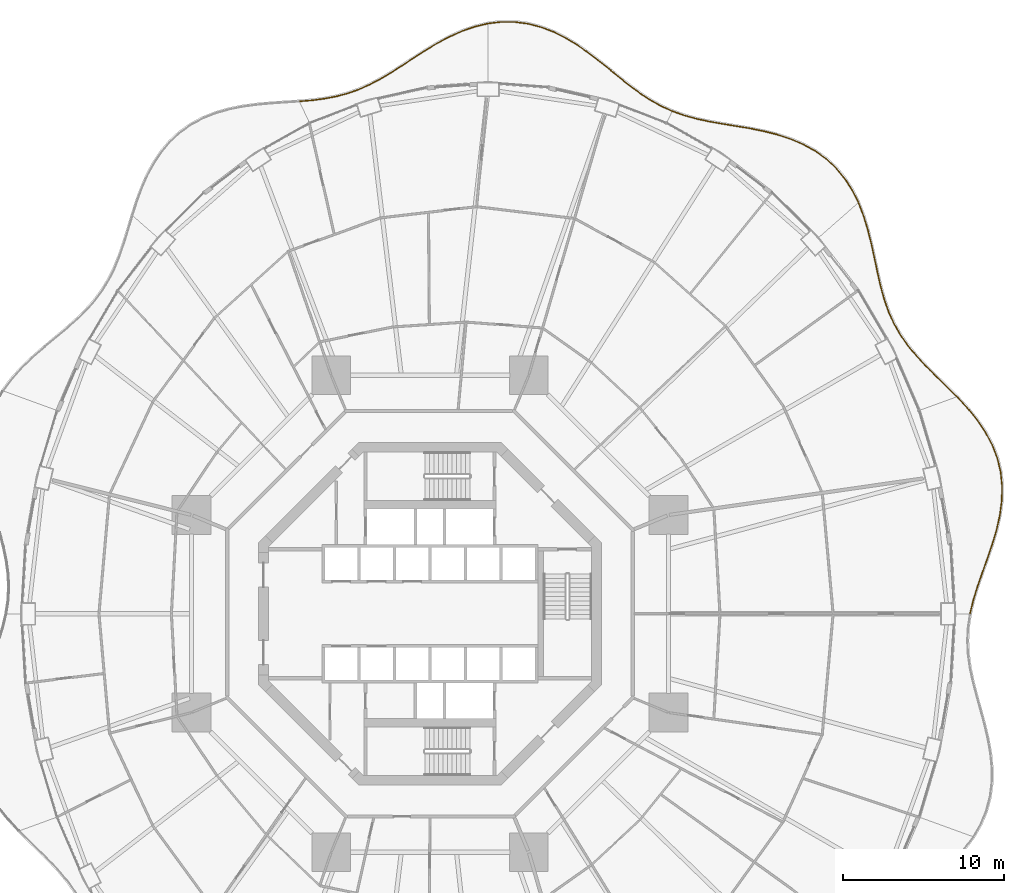
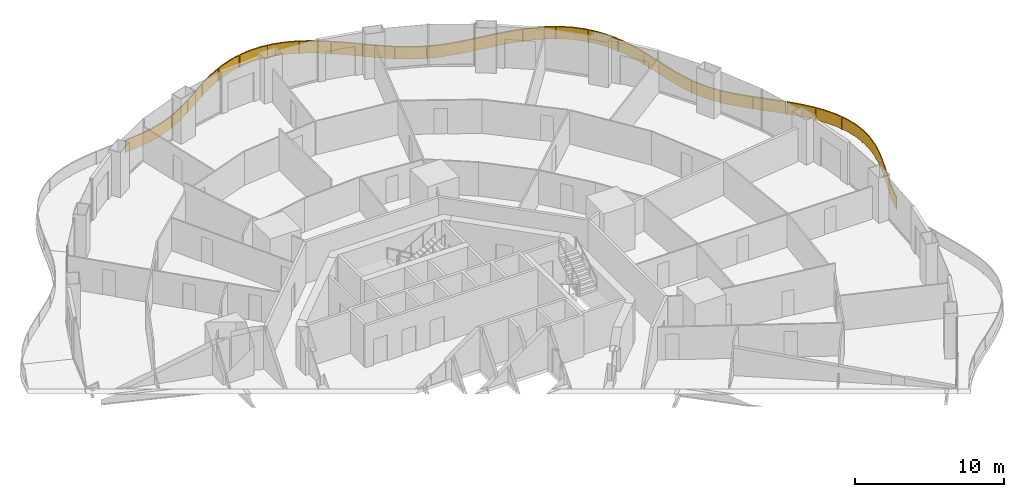
# One storey, part 22 of 22: 5 railings.
"""IFC4 building model written with IfcOpenShell, lengths in metres."""

from ifc_helpers import new_model, si_unit, direction, frame, origin, origin_2d, place, context, subcontext, project, spatial, polyline, rectangle, outline, extrude, material, type_object, element, save


model = new_model("IFC4")

# Units and contexts
model_context = context("Model", 3, precision=1e-05, world=origin(), true_north=direction((0.0, 1.0)))
body_context = subcontext(model_context, "Body", "Model", "MODEL_VIEW")
ifc_project = project(units=[si_unit("LENGTHUNIT", "METRE"), si_unit("AREAUNIT", "SQUARE_METRE"), si_unit("VOLUMEUNIT", "CUBIC_METRE"), si_unit("PLANEANGLEUNIT", "RADIAN"), si_unit("MASSUNIT", "GRAM", prefix="KILO")], contexts=[model_context])

# Site, building, storey
site_placement = place(None, origin())
site = spatial("IfcSite", under=ifc_project, at=site_placement, CompositionType="ELEMENT")
building_placement = place(site_placement, origin())
building = spatial("IfcBuilding", under=site, at=building_placement, Name="Nagisa Residences", CompositionType="ELEMENT")
storey_placement = place(building_placement, frame((0.0, 0.0, 45.5)))
storey = spatial("IfcBuildingStorey", under=building, at=storey_placement, Name="L10", CompositionType="ELEMENT", Elevation=45.5)

# Railings
ifc_material = material(Name="Stainless steel 316", Category="steel")
railing_type = type_object("IfcRailingType", Name="BALCONY GUARD 1100", PredefinedType="BALUSTRADE", material=ifc_material)
railing_1_placement = place(storey_placement, frame((33.47998046875, 0.0341796875, 0.0)))
element("IfcRailing", 1, at=railing_1_placement, inside=storey, type_object=railing_type, Name="guard:L10:bal00-0", PredefinedType="BALUSTRADE", context=body_context, shape_type="SweptSolid", body=[
    extrude(outline(polyline([(0.165771484375, 0.79638671875), (-0.0244140625, 0.005859375), (0.0244140625, -0.005859375), (0.214111328125, 0.783203125), (0.471923828125, 1.625), (0.769775390625, 2.482421875), (1.083251953125, 3.357177734375), (1.386962890625, 4.248291015625), (1.65576171875, 5.138916015625), (1.86181640625, 6.05126953125), (1.984130859375, 6.96484375), (2.006103515625, 7.871826171875), (1.9150390625, 8.763427734375), (1.710205078125, 9.617919921875), (1.386474609375, 10.455810546875), (0.956298828125, 11.25830078125), (0.434326171875, 12.02294921875), (-0.159423828125, 12.75048828125), (-0.77294921875, 13.409912109375), (-0.8095703125, 13.375732421875), (-0.197021484375, 12.7177734375), (0.394287109375, 11.9931640625), (0.913330078125, 11.232421875), (1.341064453125, 10.434814453125), (1.662353515625, 9.602783203125), (1.86572265625, 8.755126953125), (1.955810546875, 7.869873046875), (1.934326171875, 6.96875), (1.8125, 6.06005859375), (1.607421875, 5.151611328125), (1.339111328125, 4.263427734375), (1.035888671875, 3.373779296875), (0.722412109375, 2.4990234375), (0.424560546875, 1.640625), (0.165771484375, 0.79638671875)])), frame((0.0, 0.0, 1.050048828125)), (0.0, 0.0, 1.0), 0.050048828125),
    extrude(outline(polyline([(0.18310546875, 0.791748046875), (-0.0068359375, 0.001708984375), (0.0068359375, -0.001708984375), (0.19677734375, 0.787841796875), (0.454833984375, 1.630615234375), (0.752685546875, 2.48828125), (1.066162109375, 3.36328125), (1.36962890625, 4.253662109375), (1.638427734375, 5.1435546875), (1.843994140625, 6.054443359375), (1.96630859375, 6.96630859375), (1.988037109375, 7.87109375), (1.897216796875, 8.760498046875), (1.69287109375, 9.612548828125), (1.3701171875, 10.4482421875), (0.94091796875, 11.2490234375), (0.419921875, 12.01220703125), (-0.1728515625, 12.73876953125), (-0.7861328125, 13.397705078125), (-0.79638671875, 13.387939453125), (-0.18359375, 12.7294921875), (0.40869140625, 12.00390625), (0.9287109375, 11.24169921875), (1.357421875, 10.4423828125), (1.6796875, 9.608154296875), (1.883544921875, 8.758056640625), (1.973876953125, 7.87060546875), (1.9521484375, 6.96728515625), (1.830322265625, 6.056884765625), (1.624755859375, 5.14697265625), (1.3564453125, 4.258056640625), (1.052978515625, 3.36767578125), (0.739501953125, 2.4931640625), (0.441650390625, 1.635009765625), (0.18310546875, 0.791748046875)])), frame((0.0, 0.0, 0.06005859375)), (0.0, 0.0, 1.0), 0.989990234375),
    extrude(rectangle(XDim=0.0400390625, YDim=0.0400390625, at=origin_2d()), origin(), (0.0, 0.0, 1.0), 1.050048828125),
    extrude(rectangle(XDim=0.0400390625, YDim=0.0400390625, at=origin_2d()), frame((0.571533203125, 1.988037109375, 0.0)), (0.0, 0.0, 1.0), 1.050048828125),
    extrude(rectangle(XDim=0.0400390625, YDim=0.0400390625, at=origin_2d()), frame((1.255859375, 3.94140625, 0.0)), (0.0, 0.0, 1.0), 1.050048828125),
    extrude(rectangle(XDim=0.0400390625, YDim=0.0400390625, at=origin_2d()), frame((1.809814453125, 5.93408203125, 0.0)), (0.0, 0.0, 1.0), 1.050048828125),
    extrude(rectangle(XDim=0.0400390625, YDim=0.0400390625, at=origin_2d()), frame((1.968505859375, 7.991943359375, 0.0)), (0.0, 0.0, 1.0), 1.050048828125),
    extrude(rectangle(XDim=0.0400390625, YDim=0.0400390625, at=origin_2d()), frame((1.53369140625, 10.00537109375, 0.0)), (0.0, 0.0, 1.0), 1.050048828125),
    extrude(rectangle(XDim=0.0400390625, YDim=0.0400390625, at=origin_2d()), frame((0.545654296875, 11.815673828125, 0.0)), (0.0, 0.0, 1.0), 1.050048828125),
    extrude(rectangle(XDim=0.0400390625, YDim=0.0400390625, at=origin_2d()), frame((-0.791259765625, 13.392822265625, 0.0)), (0.0, 0.0, 1.0), 1.050048828125),
])
railing_2_placement = place(storey_placement, frame((32.634521484375, 13.4814453125, 0.0)))
element("IfcRailing", 2, at=railing_2_placement, inside=storey, type_object=railing_type, Name="guard:L10:bal01-0", PredefinedType="BALUSTRADE", context=body_context, shape_type="SweptSolid", body=[
    extrude(outline(polyline([(-0.632568359375, 0.5947265625), (-0.017578125, -0.017822265625), (0.017578125, 0.017822265625), (-0.597412109375, 0.63037109375), (-1.242431640625, 1.25927734375), (-1.865966796875, 1.880126953125), (-2.449462890625, 2.503662109375), (-2.978759765625, 3.140380859375), (-3.437744140625, 3.787353515625), (-3.836181640625, 4.47900390625), (-4.1689453125, 5.208740234375), (-4.443603515625, 5.978759765625), (-4.672119140625, 6.78955078125), (-4.861572265625, 7.624267578125), (-5.047119140625, 8.49951171875), (-5.24072265625, 9.391845703125), (-5.462158203125, 10.287109375), (-5.72998046875, 11.169189453125), (-6.04150390625, 11.978759765625), (-6.08837890625, 11.960693359375), (-5.77734375, 11.153076171875), (-5.510498046875, 10.27392578125), (-5.28955078125, 9.380615234375), (-5.095947265625, 8.4892578125), (-4.910400390625, 7.613525390625), (-4.720458984375, 6.77734375), (-4.491455078125, 5.963623046875), (-4.21533203125, 5.189697265625), (-3.880615234375, 4.4560546875), (-3.479736328125, 3.760498046875), (-3.018310546875, 3.110107421875), (-2.487060546875, 2.470458984375), (-1.902099609375, 1.845458984375), (-1.277587890625, 1.2236328125), (-0.632568359375, 0.5947265625)])), frame((0.0, 0.0, 1.050048828125)), (0.0, 0.0, 1.0), 0.050048828125),
    extrude(outline(polyline([(-0.619873046875, 0.607666015625), (-0.0048828125, -0.0048828125), (0.0048828125, 0.0048828125), (-0.610107421875, 0.617431640625), (-1.255126953125, 1.246337890625), (-1.87890625, 1.86767578125), (-2.462890625, 2.49169921875), (-2.992919921875, 3.12939453125), (-3.452880859375, 3.777587890625), (-3.85205078125, 4.470703125), (-4.185546875, 5.201904296875), (-4.4609375, 5.973388671875), (-4.689453125, 6.78515625), (-4.879150390625, 7.620361328125), (-5.064697265625, 8.495849609375), (-5.25830078125, 9.3876953125), (-5.4794921875, 10.282470703125), (-5.7470703125, 11.163330078125), (-6.058349609375, 11.97216796875), (-6.071533203125, 11.96728515625), (-5.76025390625, 11.158935546875), (-5.4931640625, 10.278564453125), (-5.27197265625, 9.384765625), (-5.078369140625, 8.492919921875), (-4.892822265625, 7.617431640625), (-4.703125, 6.78173828125), (-4.47412109375, 5.968994140625), (-4.19873046875, 5.196533203125), (-3.86474609375, 4.46435546875), (-3.464599609375, 3.770263671875), (-3.004150390625, 3.12109375), (-2.4736328125, 2.482421875), (-1.88916015625, 1.85791015625), (-1.264892578125, 1.236572265625), (-0.619873046875, 0.607666015625)])), frame((0.0, 0.0, 0.06005859375)), (0.0, 0.0, 1.0), 0.989990234375),
    extrude(rectangle(XDim=0.0400390625, YDim=0.0400390625, at=origin_2d()), origin(), (0.0, 0.0, 1.0), 1.050048828125),
    extrude(rectangle(XDim=0.0400390625, YDim=0.0400390625, at=origin_2d()), frame((-1.6328125, 1.61279296875, 0.0)), (0.0, 0.0, 1.0), 1.050048828125),
    extrude(rectangle(XDim=0.0400390625, YDim=0.0400390625, at=origin_2d()), frame((-3.146484375, 3.333740234375, 0.0)), (0.0, 0.0, 1.0), 1.050048828125),
    extrude(rectangle(XDim=0.0400390625, YDim=0.0400390625, at=origin_2d()), frame((-4.24267578125, 5.341064453125, 0.0)), (0.0, 0.0, 1.0), 1.050048828125),
    extrude(rectangle(XDim=0.0400390625, YDim=0.0400390625, at=origin_2d()), frame((-4.869384765625, 7.54638671875, 0.0)), (0.0, 0.0, 1.0), 1.050048828125),
    extrude(rectangle(XDim=0.0400390625, YDim=0.0400390625, at=origin_2d()), frame((-5.3642578125, 9.787109375, 0.0)), (0.0, 0.0, 1.0), 1.050048828125),
    extrude(rectangle(XDim=0.0400390625, YDim=0.0400390625, at=origin_2d()), frame((-6.06494140625, 11.9697265625, 0.0)), (0.0, 0.0, 1.0), 1.050048828125),
])
railing_3_placement = place(storey_placement, frame((26.5390625, 25.522216796875, 0.0)))
element("IfcRailing", 3, at=railing_3_placement, inside=storey, type_object=railing_type, Name="guard:L10:bal02-0", PredefinedType="BALUSTRADE", context=body_context, shape_type="SweptSolid", body=[
    extrude(outline(polyline([(-0.382568359375, 0.71533203125), (-0.0224609375, -0.01123046875), (0.0224609375, 0.01123046875), (-0.339111328125, 0.740234375), (-0.79833984375, 1.455810546875), (-1.335205078125, 2.105224609375), (-1.948486328125, 2.68115234375), (-2.6328125, 3.1787109375), (-3.367431640625, 3.586181640625), (-4.1650390625, 3.928955078125), (-5.0, 4.203369140625), (-5.858642578125, 4.4208984375), (-6.726318359375, 4.595458984375), (-7.57568359375, 4.734375), (-8.423583984375, 4.873291015625), (-9.24658203125, 5.0205078125), (-10.038818359375, 5.192138671875), (-10.797607421875, 5.402587890625), (-11.484130859375, 5.6484375), (-11.501220703125, 5.60107421875), (-10.812744140625, 5.354736328125), (-10.051025390625, 5.143310546875), (-9.25634765625, 4.97119140625), (-8.431884765625, 4.823974609375), (-7.583984375, 4.68505859375), (-6.735107421875, 4.546142578125), (-5.869873046875, 4.3720703125), (-5.01416015625, 4.155517578125), (-4.1826171875, 3.882080078125), (-3.389404296875, 3.541259765625), (-2.65966796875, 3.13623046875), (-1.980224609375, 2.642578125), (-1.371826171875, 2.071044921875), (-0.8388671875, 1.426025390625), (-0.382568359375, 0.71533203125)])), frame((0.0, 0.0, 1.050048828125)), (0.0, 0.0, 1.0), 0.050048828125),
    extrude(outline(polyline([(-0.366943359375, 0.724365234375), (-0.00634765625, -0.003173828125), (0.00634765625, 0.003173828125), (-0.354736328125, 0.731201171875), (-0.81298828125, 1.445068359375), (-1.348388671875, 2.093017578125), (-1.9599609375, 2.667236328125), (-2.642578125, 3.163330078125), (-3.375244140625, 3.570068359375), (-4.17138671875, 3.912109375), (-5.005126953125, 4.186279296875), (-5.86279296875, 4.4033203125), (-6.7294921875, 4.57763671875), (-7.57861328125, 4.716552734375), (-8.426513671875, 4.85546875), (-9.25, 5.002685546875), (-10.043212890625, 5.174560546875), (-10.802978515625, 5.38525390625), (-11.490234375, 5.63134765625), (-11.4951171875, 5.6181640625), (-10.807373046875, 5.3720703125), (-10.046630859375, 5.160888671875), (-9.2529296875, 4.989013671875), (-8.428955078125, 4.841796875), (-7.5810546875, 4.702880859375), (-6.73193359375, 4.56396484375), (-5.86572265625, 4.3896484375), (-5.009033203125, 4.172607421875), (-4.17626953125, 3.89892578125), (-3.381591796875, 3.557373046875), (-2.64990234375, 3.151611328125), (-1.96875, 2.656494140625), (-1.358642578125, 2.083251953125), (-0.82421875, 1.436767578125), (-0.366943359375, 0.724365234375)])), frame((0.0, 0.0, 0.06005859375)), (0.0, 0.0, 1.0), 0.989990234375),
    extrude(rectangle(XDim=0.0400390625, YDim=0.0400390625, at=origin_2d()), origin(), (0.0, 0.0, 1.0), 1.050048828125),
    extrude(rectangle(XDim=0.0400390625, YDim=0.0400390625, at=origin_2d()), frame((-1.185791015625, 1.885009765625, 0.0)), (0.0, 0.0, 1.0), 1.050048828125),
    extrude(rectangle(XDim=0.0400390625, YDim=0.0400390625, at=origin_2d()), frame((-2.9013671875, 3.299072265625, 0.0)), (0.0, 0.0, 1.0), 1.050048828125),
    extrude(rectangle(XDim=0.0400390625, YDim=0.0400390625, at=origin_2d()), frame((-4.957275390625, 4.1630859375, 0.0)), (0.0, 0.0, 1.0), 1.050048828125),
    extrude(rectangle(XDim=0.0400390625, YDim=0.0400390625, at=origin_2d()), frame((-7.140625, 4.637939453125, 0.0)), (0.0, 0.0, 1.0), 1.050048828125),
    extrude(rectangle(XDim=0.0400390625, YDim=0.0400390625, at=origin_2d()), frame((-9.34423828125, 5.015869140625, 0.0)), (0.0, 0.0, 1.0), 1.050048828125),
    extrude(rectangle(XDim=0.0400390625, YDim=0.0400390625, at=origin_2d()), frame((-11.49267578125, 5.624755859375, 0.0)), (0.0, 0.0, 1.0), 1.050048828125),
])
railing_4_placement = place(storey_placement, frame((14.982177734375, 31.172119140625, 0.0)))
element("IfcRailing", 4, at=railing_4_placement, inside=storey, type_object=railing_type, Name="guard:L10:bal03-0", PredefinedType="BALUSTRADE", context=body_context, shape_type="SweptSolid", body=[
    extrude(outline(polyline([(-0.6455078125, 0.265380859375), (-0.01025390625, -0.022705078125), (0.01025390625, 0.022705078125), (-0.623046875, 0.310302734375), (-1.273193359375, 0.670166015625), (-1.908935546875, 1.083740234375), (-2.537841796875, 1.544921875), (-3.16845703125, 2.04345703125), (-3.792724609375, 2.561279296875), (-4.451171875, 3.09228515625), (-5.132080078125, 3.61279296875), (-5.839599609375, 4.1044921875), (-6.575439453125, 4.54833984375), (-7.322021484375, 4.92431640625), (-8.109619140625, 5.222900390625), (-8.91796875, 5.429443359375), (-9.73974609375, 5.5361328125), (-10.568359375, 5.540283203125), (-11.3466796875, 5.447021484375), (-11.3408203125, 5.397216796875), (-10.5654296875, 5.489990234375), (-9.7431640625, 5.486328125), (-8.92724609375, 5.380126953125), (-8.124755859375, 5.175048828125), (-7.342041015625, 4.87841796875), (-6.599853515625, 4.50439453125), (-5.866943359375, 4.0625), (-5.161376953125, 3.572265625), (-4.48193359375, 3.052734375), (-3.824462890625, 2.522705078125), (-3.2001953125, 2.00439453125), (-2.568115234375, 1.5048828125), (-1.937255859375, 1.042724609375), (-1.299072265625, 0.627197265625), (-0.6455078125, 0.265380859375)])), frame((0.0, 0.0, 1.050048828125)), (0.0, 0.0, 1.0), 0.050048828125),
    extrude(outline(polyline([(-0.637451171875, 0.281494140625), (-0.0029296875, -0.00634765625), (0.0029296875, 0.00634765625), (-0.631103515625, 0.294189453125), (-1.282470703125, 0.65478515625), (-1.919189453125, 1.069091796875), (-2.548828125, 1.530517578125), (-3.179931640625, 2.029296875), (-3.80419921875, 2.54736328125), (-4.462158203125, 3.078125), (-5.142578125, 3.59814453125), (-5.849365234375, 4.08935546875), (-6.584228515625, 4.532470703125), (-7.3291015625, 4.90771484375), (-8.114990234375, 5.20556640625), (-8.92138671875, 5.41162109375), (-9.740966796875, 5.518310546875), (-10.5673828125, 5.522216796875), (-11.344482421875, 5.428955078125), (-11.343017578125, 5.415283203125), (-10.56640625, 5.508056640625), (-9.741943359375, 5.504150390625), (-8.923828125, 5.39794921875), (-8.119384765625, 5.1923828125), (-7.3349609375, 4.89501953125), (-6.591064453125, 4.520263671875), (-5.857177734375, 4.07763671875), (-5.15087890625, 3.5869140625), (-4.470947265625, 3.06689453125), (-3.81298828125, 2.53662109375), (-3.188720703125, 2.0185546875), (-2.55712890625, 1.519287109375), (-1.927001953125, 1.057373046875), (-1.289794921875, 0.642578125), (-0.637451171875, 0.281494140625)])), frame((0.0, 0.0, 0.06005859375)), (0.0, 0.0, 1.0), 0.989990234375),
    extrude(rectangle(XDim=0.0400390625, YDim=0.0400390625, at=origin_2d()), origin(), (0.0, 0.0, 1.0), 1.050048828125),
    extrude(rectangle(XDim=0.0400390625, YDim=0.0400390625, at=origin_2d()), frame((-1.8876953125, 1.040283203125, 0.0)), (0.0, 0.0, 1.0), 1.050048828125),
    extrude(rectangle(XDim=0.0400390625, YDim=0.0400390625, at=origin_2d()), frame((-3.59326171875, 2.36328125, 0.0)), (0.0, 0.0, 1.0), 1.050048828125),
    extrude(rectangle(XDim=0.0400390625, YDim=0.0400390625, at=origin_2d()), frame((-5.29296875, 3.694091796875, 0.0)), (0.0, 0.0, 1.0), 1.050048828125),
    extrude(rectangle(XDim=0.0400390625, YDim=0.0400390625, at=origin_2d()), frame((-7.140869140625, 4.804931640625, 0.0)), (0.0, 0.0, 1.0), 1.050048828125),
    extrude(rectangle(XDim=0.0400390625, YDim=0.0400390625, at=origin_2d()), frame((-9.194580078125, 5.440185546875, 0.0)), (0.0, 0.0, 1.0), 1.050048828125),
    extrude(rectangle(XDim=0.0400390625, YDim=0.0400390625, at=origin_2d()), frame((-11.34375, 5.422119140625, 0.0)), (0.0, 0.0, 1.0), 1.050048828125),
])
railing_5_placement = place(storey_placement, frame((3.562255859375, 36.580322265625, 0.0)))
element("IfcRailing", 5, at=railing_5_placement, inside=storey, type_object=railing_type, Name="guard:L10:bal04-0", PredefinedType="BALUSTRADE", context=body_context, shape_type="SweptSolid", body=[
    extrude(outline(polyline([(-0.762451171875, -0.20751953125), (0.005859375, -0.0244140625), (-0.005859375, 0.0244140625), (-0.776611328125, -0.1591796875), (-1.580322265625, -0.43798828125), (-2.364501953125, -0.7880859375), (-3.1259765625, -1.19287109375), (-3.864013671875, -1.634033203125), (-4.561767578125, -2.089599609375), (-5.258056640625, -2.5458984375), (-5.940185546875, -2.983154296875), (-6.61474609375, -3.38671875), (-7.288818359375, -3.744384765625), (-7.953369140625, -4.043701171875), (-8.6494140625, -4.291748046875), (-9.365478515625, -4.48388671875), (-10.106689453125, -4.625732421875), (-10.875, -4.725830078125), (-11.625732421875, -4.790771484375), (-11.621337890625, -4.840576171875), (-10.86962890625, -4.775634765625), (-10.098876953125, -4.675048828125), (-9.354248046875, -4.53271484375), (-8.63427734375, -4.339599609375), (-7.934814453125, -4.090087890625), (-7.266845703125, -3.789306640625), (-6.59033203125, -3.43017578125), (-5.913818359375, -3.025634765625), (-5.230712890625, -2.587890625), (-4.534423828125, -2.131591796875), (-3.837646484375, -1.676513671875), (-3.1015625, -1.236328125), (-2.342529296875, -0.8330078125), (-1.561767578125, -0.484375), (-0.762451171875, -0.20751953125)])), frame((0.0, 0.0, 1.050048828125)), (0.0, 0.0, 1.0), 0.050048828125),
    extrude(outline(polyline([(-0.767578125, -0.190185546875), (0.001708984375, -0.0068359375), (-0.001708984375, 0.0068359375), (-0.771484375, -0.176513671875), (-1.57373046875, -0.45458984375), (-2.356689453125, -0.80419921875), (-3.1171875, -1.20849609375), (-3.8544921875, -1.6494140625), (-4.552001953125, -2.104736328125), (-5.248291015625, -2.56103515625), (-5.9306640625, -2.99853515625), (-6.60595703125, -3.40234375), (-7.281005859375, -3.760498046875), (-7.94677734375, -4.060302734375), (-8.64404296875, -4.30908203125), (-9.361328125, -4.50146484375), (-10.10400390625, -4.6435546875), (-10.873046875, -4.74365234375), (-11.6240234375, -4.80859375), (-11.623046875, -4.82275390625), (-10.87158203125, -4.7578125), (-10.1015625, -4.6572265625), (-9.3583984375, -4.51513671875), (-8.6396484375, -4.322265625), (-7.94140625, -4.073486328125), (-7.274658203125, -3.773193359375), (-6.59912109375, -3.41455078125), (-5.92333984375, -3.01025390625), (-5.240478515625, -2.57275390625), (-4.544189453125, -2.116455078125), (-3.84716796875, -1.6611328125), (-3.1103515625, -1.220703125), (-2.350341796875, -0.81689453125), (-1.568359375, -0.4677734375), (-0.767578125, -0.190185546875)])), frame((0.0, 0.0, 0.06005859375)), (0.0, 0.0, 1.0), 0.989990234375),
    extrude(rectangle(XDim=0.0400390625, YDim=0.0400390625, at=origin_2d()), origin(), (0.0, 0.0, 1.0), 1.050048828125),
    extrude(rectangle(XDim=0.0400390625, YDim=0.0400390625, at=origin_2d()), frame((-2.013671875, -0.658935546875, 0.0)), (0.0, 0.0, 1.0), 1.050048828125),
    extrude(rectangle(XDim=0.0400390625, YDim=0.0400390625, at=origin_2d()), frame((-3.8779296875, -1.6728515625, 0.0)), (0.0, 0.0, 1.0), 1.050048828125),
    extrude(rectangle(XDim=0.0400390625, YDim=0.0400390625, at=origin_2d()), frame((-5.657958984375, -2.83203125, 0.0)), (0.0, 0.0, 1.0), 1.050048828125),
    extrude(rectangle(XDim=0.0400390625, YDim=0.0400390625, at=origin_2d()), frame((-7.508544921875, -3.870849609375, 0.0)), (0.0, 0.0, 1.0), 1.050048828125),
    extrude(rectangle(XDim=0.0400390625, YDim=0.0400390625, at=origin_2d()), frame((-9.519287109375, -4.538818359375, 0.0)), (0.0, 0.0, 1.0), 1.050048828125),
    extrude(rectangle(XDim=0.0400390625, YDim=0.0400390625, at=origin_2d()), frame((-11.62353515625, -4.815673828125, 0.0)), (0.0, 0.0, 1.0), 1.050048828125),
])

save(model, "model.ifc")
